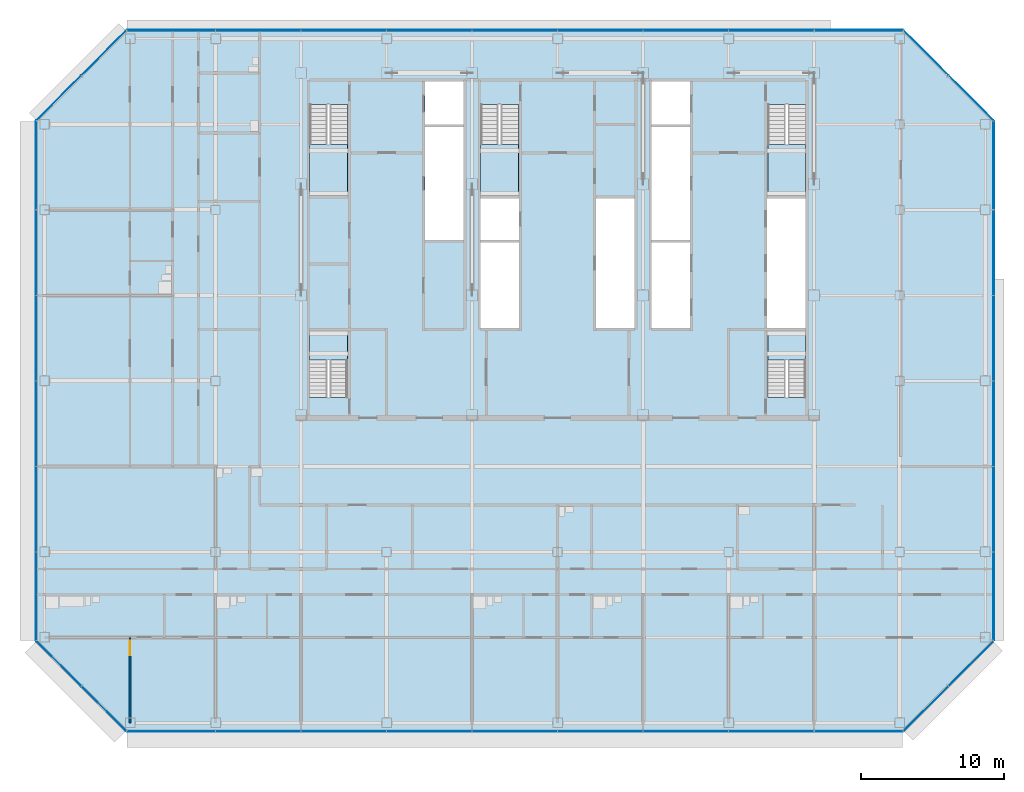
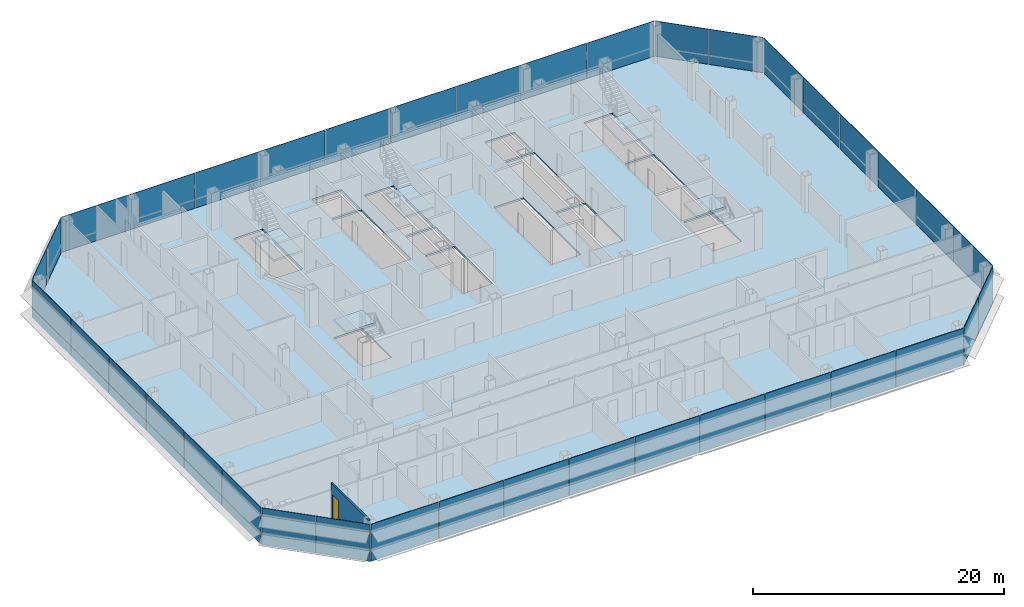
# One storey, part 19 of 27: 38 plates, 6 slabs, 1 door, 1 wall, 1 opening, 13 elements without a shape of their own.
"""IFC4 building model written with IfcOpenShell, lengths in metres."""

from ifc_helpers import new_model, si_unit, direction, frame, frame_2d, origin, origin_2d, place, context, subcontext, project, spatial, polyline, rectangle, outline, extrude, material, layer, layer_set, type_object, element, fill, aggregate, save


model = new_model("IFC4")

# Units and contexts
model_context = context("Model", 3, precision=1e-05, world=origin(), true_north=direction((0.0, 1.0)))
body_context = subcontext(model_context, "Body", "Model", "MODEL_VIEW")
ifc_project = project(units=[si_unit("LENGTHUNIT", "METRE"), si_unit("AREAUNIT", "SQUARE_METRE"), si_unit("VOLUMEUNIT", "CUBIC_METRE"), si_unit("PLANEANGLEUNIT", "RADIAN"), si_unit("MASSUNIT", "GRAM", prefix="KILO")], contexts=[model_context])

# Site, building, storey
site_placement = place(None, origin())
site = spatial("IfcSite", under=ifc_project, at=site_placement, CompositionType="ELEMENT")
building_placement = place(site_placement, origin())
building = spatial("IfcBuilding", under=site, at=building_placement, Name="Sorahane Residences", CompositionType="ELEMENT")
storey_placement = place(building_placement, frame((0.0, 0.0, 195.60009765625)))
storey = spatial("IfcBuildingStorey", under=building, at=storey_placement, Name="L45", CompositionType="ELEMENT", Elevation=195.60009765625)

# Slab
ifc_material_1 = material(Name="Concrete C35", Category="concrete")
ifc_layer_1 = layer(ifc_material_1, 0.179931640625)
ifc_layer_set_1 = layer_set([ifc_layer_1], Name="Composite floor slab 180 mm Concrete C35")
slab_type_1 = type_object("IfcSlabType", Name="Composite floor slab 180 mm Concrete C35", PredefinedType="FLOOR", material=ifc_layer_set_1)
slab_1_placement = place(storey_placement, frame((0.0, 0.0, -0.18017578125)))
element("IfcSlab", 1, at=slab_1_placement, inside=storey, type_object=slab_type_1, Name="Slab L45", PredefinedType="FLOOR", context=body_context, shape_type="SweptSolid", body=[
    extrude(outline(polyline([(-6.24853515625, -0.60009765625), (-12.60009765625, 5.75146484375), (-12.60009765625, 42.24853515625), (-6.24853515625, 48.60009765625), (48.24853515625, 48.60009765625), (54.60009765625, 42.24853515625), (54.60009765625, 5.75146484375), (48.24853515625, -0.60009765625), (-6.24853515625, -0.60009765625)]), holes=[polyline([(18.60009765625, 27.699951171875), (21.300048828125, 27.699951171875), (21.300048828125, 33.699951171875), (18.60009765625, 33.699951171875), (18.60009765625, 27.699951171875)]), polyline([(38.699951171875, 27.699951171875), (41.39990234375, 27.699951171875), (41.39990234375, 36.800048828125), (38.699951171875, 36.800048828125), (38.699951171875, 27.699951171875)]), polyline([(30.60009765625, 27.699951171875), (33.300048828125, 27.699951171875), (33.300048828125, 33.699951171875), (30.60009765625, 33.699951171875), (30.60009765625, 27.699951171875)]), polyline([(30.60009765625, 42.0), (33.300048828125, 42.0), (33.300048828125, 45.0), (30.60009765625, 45.0), (30.60009765625, 42.0)]), polyline([(14.699951171875, 42.0), (17.39990234375, 42.0), (17.39990234375, 45.0), (14.699951171875, 45.0), (14.699951171875, 42.0)]), polyline([(6.60009765625, 43.39990234375), (6.60009765625, 37.0), (9.25, 37.0), (9.25, 43.39990234375), (6.60009765625, 43.39990234375)]), polyline([(38.75, 43.39990234375), (38.75, 37.0), (41.39990234375, 37.0), (41.39990234375, 43.39990234375), (38.75, 43.39990234375)]), polyline([(18.60009765625, 43.39990234375), (18.60009765625, 37.0), (21.25, 37.0), (21.25, 43.39990234375), (18.60009765625, 43.39990234375)]), polyline([(9.25, 22.85009765625), (9.25, 27.5), (6.60009765625, 27.5), (6.60009765625, 22.85009765625), (9.25, 22.85009765625)]), polyline([(41.39990234375, 22.85009765625), (41.39990234375, 27.5), (38.75, 27.5), (38.75, 22.85009765625), (41.39990234375, 22.85009765625)]), polyline([(14.699951171875, 33.89990234375), (17.39990234375, 33.89990234375), (17.39990234375, 41.800048828125), (14.699951171875, 41.800048828125), (14.699951171875, 33.89990234375)]), polyline([(30.60009765625, 33.89990234375), (33.300048828125, 33.89990234375), (33.300048828125, 41.800048828125), (30.60009765625, 41.800048828125), (30.60009765625, 33.89990234375)]), polyline([(18.60009765625, 33.89990234375), (21.300048828125, 33.89990234375), (21.300048828125, 36.800048828125), (18.60009765625, 36.800048828125), (18.60009765625, 33.89990234375)]), polyline([(26.699951171875, 27.699951171875), (29.39990234375, 27.699951171875), (29.39990234375, 36.800048828125), (26.699951171875, 36.800048828125), (26.699951171875, 27.699951171875)])]), origin(), (0.0, 0.0, 1.0), 0.18017578125),
])

# Curtain wall, plates
ifc_material_2 = material(Name="Dark low-e glass and black anodised aluminium", Category="aluminium")
curtain_wall_type_1 = type_object("IfcCurtainWallType", Name="Curtain wall CW-1 Typical unitised wall", PredefinedType="NOTDEFINED", material=ifc_material_2)
curtain_wall_1_placement = place(storey_placement, origin())
curtain_wall_1 = element("IfcCurtainWall", 2, at=curtain_wall_1_placement, inside=storey, type_object=curtain_wall_type_1, Name="CW-1 curtain wall L45 S1", PredefinedType="NOTDEFINED")
ifc_material_3 = material(Name="Dark low-e glass with black ceramic frit", Category="glass")
ifc_layer_2 = layer(ifc_material_3, 0.0400390625)
ifc_layer_set_2 = layer_set([ifc_layer_2], Name="Curtain wall glass panel dark low-e with black frit spandrel band")
plate_type = type_object("IfcPlateType", Name="Curtain wall glass panel dark low-e with black frit spandrel band", PredefinedType="CURTAIN_PANEL", material=ifc_layer_set_2)
plate_1_placement = place(storey_placement, frame((-3.11181640625, -0.60009765625, -0.18017578125), z_axis=(0.0, 0.0, 1.0), x_axis=(1.0, 0.0, 0.0)))
plate_1 = element("IfcPlate", 3, at=plate_1_placement, type_object=plate_type, Name="CW-1 glass panel L45 S1.1", PredefinedType="CURTAIN_PANEL", context=body_context, shape_type="SweptSolid", body=[
    extrude(rectangle(XDim=6.173583984375, YDim=0.0400390625, at=origin_2d()), origin(), (0.0, 0.0, 1.0), 3.60009765625),
])
plate_2_placement = place(storey_placement, frame((3.0, -0.60009765625, -0.18017578125), z_axis=(0.0, 0.0, 1.0), x_axis=(1.0, 0.0, 0.0)))
plate_2 = element("IfcPlate", 4, at=plate_2_placement, type_object=plate_type, Name="CW-1 glass panel L45 S1.2", PredefinedType="CURTAIN_PANEL", context=body_context, shape_type="SweptSolid", body=[
    extrude(rectangle(XDim=5.949951171875, YDim=0.0400390625, at=origin_2d()), origin(), (0.0, 0.0, 1.0), 3.60009765625),
])
plate_3_placement = place(storey_placement, frame((9.0, -0.60009765625, -0.18017578125), z_axis=(0.0, 0.0, 1.0), x_axis=(1.0, 0.0, 0.0)))
plate_3 = element("IfcPlate", 5, at=plate_3_placement, type_object=plate_type, Name="CW-1 glass panel L45 S1.3", PredefinedType="CURTAIN_PANEL", context=body_context, shape_type="SweptSolid", body=[
    extrude(rectangle(XDim=5.949951171875, YDim=0.0400390625, at=origin_2d()), origin(), (0.0, 0.0, 1.0), 3.60009765625),
])
plate_4_placement = place(storey_placement, frame((15.0, -0.60009765625, -0.18017578125), z_axis=(0.0, 0.0, 1.0), x_axis=(1.0, 0.0, 0.0)))
plate_4 = element("IfcPlate", 6, at=plate_4_placement, type_object=plate_type, Name="CW-1 glass panel L45 S1.4", PredefinedType="CURTAIN_PANEL", context=body_context, shape_type="SweptSolid", body=[
    extrude(rectangle(XDim=5.949951171875, YDim=0.0400390625, at=origin_2d()), origin(), (0.0, 0.0, 1.0), 3.60009765625),
])
plate_5_placement = place(storey_placement, frame((21.0, -0.60009765625, -0.18017578125), z_axis=(0.0, 0.0, 1.0), x_axis=(1.0, 0.0, 0.0)))
plate_5 = element("IfcPlate", 7, at=plate_5_placement, type_object=plate_type, Name="CW-1 glass panel L45 S1.5", PredefinedType="CURTAIN_PANEL", context=body_context, shape_type="SweptSolid", body=[
    extrude(rectangle(XDim=5.949951171875, YDim=0.0400390625, at=origin_2d()), origin(), (0.0, 0.0, 1.0), 3.60009765625),
])
plate_6_placement = place(storey_placement, frame((27.0, -0.60009765625, -0.18017578125), z_axis=(0.0, 0.0, 1.0), x_axis=(1.0, 0.0, 0.0)))
plate_6 = element("IfcPlate", 8, at=plate_6_placement, type_object=plate_type, Name="CW-1 glass panel L45 S1.6", PredefinedType="CURTAIN_PANEL", context=body_context, shape_type="SweptSolid", body=[
    extrude(rectangle(XDim=5.949951171875, YDim=0.0400390625, at=origin_2d()), origin(), (0.0, 0.0, 1.0), 3.60009765625),
])
plate_7_placement = place(storey_placement, frame((33.0, -0.60009765625, -0.18017578125), z_axis=(0.0, 0.0, 1.0), x_axis=(1.0, 0.0, 0.0)))
plate_7 = element("IfcPlate", 9, at=plate_7_placement, type_object=plate_type, Name="CW-1 glass panel L45 S1.7", PredefinedType="CURTAIN_PANEL", context=body_context, shape_type="SweptSolid", body=[
    extrude(rectangle(XDim=5.949951171875, YDim=0.0400390625, at=origin_2d()), origin(), (0.0, 0.0, 1.0), 3.60009765625),
])
plate_8_placement = place(storey_placement, frame((39.0, -0.60009765625, -0.18017578125), z_axis=(0.0, 0.0, 1.0), x_axis=(1.0, 0.0, 0.0)))
plate_8 = element("IfcPlate", 10, at=plate_8_placement, type_object=plate_type, Name="CW-1 glass panel L45 S1.8", PredefinedType="CURTAIN_PANEL", context=body_context, shape_type="SweptSolid", body=[
    extrude(rectangle(XDim=5.949951171875, YDim=0.0400390625, at=origin_2d()), origin(), (0.0, 0.0, 1.0), 3.60009765625),
])
plate_9_placement = place(storey_placement, frame((45.11181640625, -0.60009765625, -0.18017578125), z_axis=(0.0, 0.0, 1.0), x_axis=(1.0, 0.0, 0.0)))
plate_9 = element("IfcPlate", 11, at=plate_9_placement, type_object=plate_type, Name="CW-1 glass panel L45 S1.9", PredefinedType="CURTAIN_PANEL", context=body_context, shape_type="SweptSolid", body=[
    extrude(rectangle(XDim=6.173583984375, YDim=0.0400390625, at=origin_2d()), origin(), (0.0, 0.0, 1.0), 3.60009765625),
])
aggregate(curtain_wall_1, [plate_1, plate_2, plate_3, plate_4, plate_5, plate_6, plate_7, plate_8, plate_9])

ifc_material_4 = material(Name="Dark low-e glass and black anodised aluminium", Category="aluminium")
curtain_wall_type_2 = type_object("IfcCurtainWallType", Name="Curtain wall CW-2 Chamfer unitised wall", PredefinedType="NOTDEFINED", material=ifc_material_4)
curtain_wall_2_placement = place(storey_placement, origin())
curtain_wall_2 = element("IfcCurtainWall", 12, at=curtain_wall_2_placement, inside=storey, type_object=curtain_wall_type_2, Name="CW-2 curtain wall L45 SE1", PredefinedType="NOTDEFINED")
plate_10_placement = place(storey_placement, frame((49.84521484375, 0.996826171875, -0.18017578125), z_axis=(0.0, 0.0, 1.0), x_axis=(0.707106781187, 0.707106781187, 0.0)))
plate_10 = element("IfcPlate", 13, at=plate_10_placement, type_object=plate_type, Name="CW-2 glass panel L45 SE1.1", PredefinedType="CURTAIN_PANEL", context=body_context, shape_type="SweptSolid", body=[
    extrude(rectangle(XDim=4.416259765625, YDim=0.0400390625, at=origin_2d()), origin(), (0.0, 0.0, 1.0), 3.60009765625),
])
plate_11_placement = place(storey_placement, frame((53.003173828125, 4.15478515625, -0.18017578125), z_axis=(0.0, 0.0, 1.0), x_axis=(0.707106781187, 0.707106781187, 0.0)))
plate_11 = element("IfcPlate", 14, at=plate_11_placement, type_object=plate_type, Name="CW-2 glass panel L45 SE1.2", PredefinedType="CURTAIN_PANEL", context=body_context, shape_type="SweptSolid", body=[
    extrude(rectangle(XDim=4.416259765625, YDim=0.0400390625, at=origin_2d()), origin(), (0.0, 0.0, 1.0), 3.60009765625),
])
aggregate(curtain_wall_2, [plate_10, plate_11])

curtain_wall_3_placement = place(storey_placement, origin())
curtain_wall_3 = element("IfcCurtainWall", 15, at=curtain_wall_3_placement, inside=storey, type_object=curtain_wall_type_1, Name="CW-1 curtain wall L45 E1", PredefinedType="NOTDEFINED")
plate_12_placement = place(storey_placement, frame((54.60009765625, 8.88818359375, -0.18017578125), z_axis=(0.0, 0.0, 1.0), x_axis=(0.0, 1.0, 0.0)))
plate_12 = element("IfcPlate", 16, at=plate_12_placement, type_object=plate_type, Name="CW-1 glass panel L45 E1.1", PredefinedType="CURTAIN_PANEL", context=body_context, shape_type="SweptSolid", body=[
    extrude(rectangle(XDim=6.173583984375, YDim=0.0400390625, at=origin_2d()), origin(), (0.0, 0.0, 1.0), 3.60009765625),
])
plate_13_placement = place(storey_placement, frame((54.60009765625, 15.0, -0.18017578125), z_axis=(0.0, 0.0, 1.0), x_axis=(0.0, 1.0, 0.0)))
plate_13 = element("IfcPlate", 17, at=plate_13_placement, type_object=plate_type, Name="CW-1 glass panel L45 E1.2", PredefinedType="CURTAIN_PANEL", context=body_context, shape_type="SweptSolid", body=[
    extrude(rectangle(XDim=5.949951171875, YDim=0.0400390625, at=origin_2d()), origin(), (0.0, 0.0, 1.0), 3.60009765625),
])
plate_14_placement = place(storey_placement, frame((54.60009765625, 21.0, -0.18017578125), z_axis=(0.0, 0.0, 1.0), x_axis=(0.0, 1.0, 0.0)))
plate_14 = element("IfcPlate", 18, at=plate_14_placement, type_object=plate_type, Name="CW-1 glass panel L45 E1.3", PredefinedType="CURTAIN_PANEL", context=body_context, shape_type="SweptSolid", body=[
    extrude(rectangle(XDim=5.949951171875, YDim=0.0400390625, at=origin_2d()), origin(), (0.0, 0.0, 1.0), 3.60009765625),
])
plate_15_placement = place(storey_placement, frame((54.60009765625, 27.0, -0.18017578125), z_axis=(0.0, 0.0, 1.0), x_axis=(0.0, 1.0, 0.0)))
plate_15 = element("IfcPlate", 19, at=plate_15_placement, type_object=plate_type, Name="CW-1 glass panel L45 E1.4", PredefinedType="CURTAIN_PANEL", context=body_context, shape_type="SweptSolid", body=[
    extrude(rectangle(XDim=5.949951171875, YDim=0.0400390625, at=origin_2d()), origin(), (0.0, 0.0, 1.0), 3.60009765625),
])
plate_16_placement = place(storey_placement, frame((54.60009765625, 33.0, -0.18017578125), z_axis=(0.0, 0.0, 1.0), x_axis=(0.0, 1.0, 0.0)))
plate_16 = element("IfcPlate", 20, at=plate_16_placement, type_object=plate_type, Name="CW-1 glass panel L45 E1.5", PredefinedType="CURTAIN_PANEL", context=body_context, shape_type="SweptSolid", body=[
    extrude(rectangle(XDim=5.949951171875, YDim=0.0400390625, at=origin_2d()), origin(), (0.0, 0.0, 1.0), 3.60009765625),
])
plate_17_placement = place(storey_placement, frame((54.60009765625, 39.11181640625, -0.18017578125), z_axis=(0.0, 0.0, 1.0), x_axis=(0.0, 1.0, 0.0)))
plate_17 = element("IfcPlate", 21, at=plate_17_placement, type_object=plate_type, Name="CW-1 glass panel L45 E1.6", PredefinedType="CURTAIN_PANEL", context=body_context, shape_type="SweptSolid", body=[
    extrude(rectangle(XDim=6.173583984375, YDim=0.0400390625, at=origin_2d()), origin(), (0.0, 0.0, 1.0), 3.60009765625),
])
aggregate(curtain_wall_3, [plate_12, plate_13, plate_14, plate_15, plate_16, plate_17])

curtain_wall_4_placement = place(storey_placement, origin())
curtain_wall_4 = element("IfcCurtainWall", 22, at=curtain_wall_4_placement, inside=storey, type_object=curtain_wall_type_2, Name="CW-2 curtain wall L45 NE1", PredefinedType="NOTDEFINED")
plate_18_placement = place(storey_placement, frame((53.003173828125, 43.84521484375, -0.18017578125), z_axis=(0.0, 0.0, 1.0), x_axis=(-0.707106781187, 0.707106781187, 0.0)))
plate_18 = element("IfcPlate", 23, at=plate_18_placement, type_object=plate_type, Name="CW-2 glass panel L45 NE1.1", PredefinedType="CURTAIN_PANEL", context=body_context, shape_type="SweptSolid", body=[
    extrude(rectangle(XDim=4.416259765625, YDim=0.0400390625, at=origin_2d()), origin(), (0.0, 0.0, 1.0), 3.60009765625),
])
plate_19_placement = place(storey_placement, frame((49.84521484375, 47.003173828125, -0.18017578125), z_axis=(0.0, 0.0, 1.0), x_axis=(-0.707106781187, 0.707106781187, 0.0)))
plate_19 = element("IfcPlate", 24, at=plate_19_placement, type_object=plate_type, Name="CW-2 glass panel L45 NE1.2", PredefinedType="CURTAIN_PANEL", context=body_context, shape_type="SweptSolid", body=[
    extrude(rectangle(XDim=4.416259765625, YDim=0.0400390625, at=origin_2d()), origin(), (0.0, 0.0, 1.0), 3.60009765625),
])
aggregate(curtain_wall_4, [plate_18, plate_19])

curtain_wall_5_placement = place(storey_placement, origin())
curtain_wall_5 = element("IfcCurtainWall", 25, at=curtain_wall_5_placement, inside=storey, type_object=curtain_wall_type_1, Name="CW-1 curtain wall L45 N1", PredefinedType="NOTDEFINED")
plate_20_placement = place(storey_placement, frame((45.11181640625, 48.60009765625, -0.18017578125), z_axis=(0.0, 0.0, 1.0), x_axis=(-1.0, 0.0, 0.0)))
plate_20 = element("IfcPlate", 26, at=plate_20_placement, type_object=plate_type, Name="CW-1 glass panel L45 N1.1", PredefinedType="CURTAIN_PANEL", context=body_context, shape_type="SweptSolid", body=[
    extrude(rectangle(XDim=6.173583984375, YDim=0.0400390625, at=origin_2d()), origin(), (0.0, 0.0, 1.0), 3.60009765625),
])
plate_21_placement = place(storey_placement, frame((39.0, 48.60009765625, -0.18017578125), z_axis=(0.0, 0.0, 1.0), x_axis=(-1.0, 0.0, 0.0)))
plate_21 = element("IfcPlate", 27, at=plate_21_placement, type_object=plate_type, Name="CW-1 glass panel L45 N1.2", PredefinedType="CURTAIN_PANEL", context=body_context, shape_type="SweptSolid", body=[
    extrude(rectangle(XDim=5.949951171875, YDim=0.0400390625, at=origin_2d()), origin(), (0.0, 0.0, 1.0), 3.60009765625),
])
plate_22_placement = place(storey_placement, frame((33.0, 48.60009765625, -0.18017578125), z_axis=(0.0, 0.0, 1.0), x_axis=(-1.0, 0.0, 0.0)))
plate_22 = element("IfcPlate", 28, at=plate_22_placement, type_object=plate_type, Name="CW-1 glass panel L45 N1.3", PredefinedType="CURTAIN_PANEL", context=body_context, shape_type="SweptSolid", body=[
    extrude(rectangle(XDim=5.949951171875, YDim=0.0400390625, at=origin_2d()), origin(), (0.0, 0.0, 1.0), 3.60009765625),
])
plate_23_placement = place(storey_placement, frame((27.0, 48.60009765625, -0.18017578125), z_axis=(0.0, 0.0, 1.0), x_axis=(-1.0, 0.0, 0.0)))
plate_23 = element("IfcPlate", 29, at=plate_23_placement, type_object=plate_type, Name="CW-1 glass panel L45 N1.4", PredefinedType="CURTAIN_PANEL", context=body_context, shape_type="SweptSolid", body=[
    extrude(rectangle(XDim=5.949951171875, YDim=0.0400390625, at=origin_2d()), origin(), (0.0, 0.0, 1.0), 3.60009765625),
])
plate_24_placement = place(storey_placement, frame((21.0, 48.60009765625, -0.18017578125), z_axis=(0.0, 0.0, 1.0), x_axis=(-1.0, 0.0, 0.0)))
plate_24 = element("IfcPlate", 30, at=plate_24_placement, type_object=plate_type, Name="CW-1 glass panel L45 N1.5", PredefinedType="CURTAIN_PANEL", context=body_context, shape_type="SweptSolid", body=[
    extrude(rectangle(XDim=5.949951171875, YDim=0.0400390625, at=origin_2d()), origin(), (0.0, 0.0, 1.0), 3.60009765625),
])
plate_25_placement = place(storey_placement, frame((15.0, 48.60009765625, -0.18017578125), z_axis=(0.0, 0.0, 1.0), x_axis=(-1.0, 0.0, 0.0)))
plate_25 = element("IfcPlate", 31, at=plate_25_placement, type_object=plate_type, Name="CW-1 glass panel L45 N1.6", PredefinedType="CURTAIN_PANEL", context=body_context, shape_type="SweptSolid", body=[
    extrude(rectangle(XDim=5.949951171875, YDim=0.0400390625, at=origin_2d()), origin(), (0.0, 0.0, 1.0), 3.60009765625),
])
plate_26_placement = place(storey_placement, frame((9.0, 48.60009765625, -0.18017578125), z_axis=(0.0, 0.0, 1.0), x_axis=(-1.0, 0.0, 0.0)))
plate_26 = element("IfcPlate", 32, at=plate_26_placement, type_object=plate_type, Name="CW-1 glass panel L45 N1.7", PredefinedType="CURTAIN_PANEL", context=body_context, shape_type="SweptSolid", body=[
    extrude(rectangle(XDim=5.949951171875, YDim=0.0400390625, at=origin_2d()), origin(), (0.0, 0.0, 1.0), 3.60009765625),
])
plate_27_placement = place(storey_placement, frame((3.0, 48.60009765625, -0.18017578125), z_axis=(0.0, 0.0, 1.0), x_axis=(-1.0, 0.0, 0.0)))
plate_27 = element("IfcPlate", 33, at=plate_27_placement, type_object=plate_type, Name="CW-1 glass panel L45 N1.8", PredefinedType="CURTAIN_PANEL", context=body_context, shape_type="SweptSolid", body=[
    extrude(rectangle(XDim=5.949951171875, YDim=0.0400390625, at=origin_2d()), origin(), (0.0, 0.0, 1.0), 3.60009765625),
])
plate_28_placement = place(storey_placement, frame((-3.11181640625, 48.60009765625, -0.18017578125), z_axis=(0.0, 0.0, 1.0), x_axis=(-1.0, 0.0, 0.0)))
plate_28 = element("IfcPlate", 34, at=plate_28_placement, type_object=plate_type, Name="CW-1 glass panel L45 N1.9", PredefinedType="CURTAIN_PANEL", context=body_context, shape_type="SweptSolid", body=[
    extrude(rectangle(XDim=6.173583984375, YDim=0.0400390625, at=origin_2d()), origin(), (0.0, 0.0, 1.0), 3.60009765625),
])
aggregate(curtain_wall_5, [plate_20, plate_21, plate_22, plate_23, plate_24, plate_25, plate_26, plate_27, plate_28])

curtain_wall_6_placement = place(storey_placement, origin())
curtain_wall_6 = element("IfcCurtainWall", 35, at=curtain_wall_6_placement, inside=storey, type_object=curtain_wall_type_2, Name="CW-2 curtain wall L45 NW1", PredefinedType="NOTDEFINED")
plate_29_placement = place(storey_placement, frame((-7.84521484375, 47.003173828125, -0.18017578125), z_axis=(0.0, 0.0, 1.0), x_axis=(-0.707106781187, -0.707106781187, 0.0)))
plate_29 = element("IfcPlate", 36, at=plate_29_placement, type_object=plate_type, Name="CW-2 glass panel L45 NW1.1", PredefinedType="CURTAIN_PANEL", context=body_context, shape_type="SweptSolid", body=[
    extrude(rectangle(XDim=4.416259765625, YDim=0.0400390625, at=origin_2d()), origin(), (0.0, 0.0, 1.0), 3.60009765625),
])
plate_30_placement = place(storey_placement, frame((-11.003173828125, 43.84521484375, -0.18017578125), z_axis=(0.0, 0.0, 1.0), x_axis=(-0.707106781187, -0.707106781187, 0.0)))
plate_30 = element("IfcPlate", 37, at=plate_30_placement, type_object=plate_type, Name="CW-2 glass panel L45 NW1.2", PredefinedType="CURTAIN_PANEL", context=body_context, shape_type="SweptSolid", body=[
    extrude(rectangle(XDim=4.416259765625, YDim=0.0400390625, at=origin_2d()), origin(), (0.0, 0.0, 1.0), 3.60009765625),
])
aggregate(curtain_wall_6, [plate_29, plate_30])

curtain_wall_7_placement = place(storey_placement, origin())
curtain_wall_7 = element("IfcCurtainWall", 38, at=curtain_wall_7_placement, inside=storey, type_object=curtain_wall_type_1, Name="CW-1 curtain wall L45 W1", PredefinedType="NOTDEFINED")
plate_31_placement = place(storey_placement, frame((-12.60009765625, 39.11181640625, -0.18017578125), z_axis=(0.0, 0.0, 1.0), x_axis=(0.0, -1.0, 0.0)))
plate_31 = element("IfcPlate", 39, at=plate_31_placement, type_object=plate_type, Name="CW-1 glass panel L45 W1.1", PredefinedType="CURTAIN_PANEL", context=body_context, shape_type="SweptSolid", body=[
    extrude(rectangle(XDim=6.173583984375, YDim=0.0400390625, at=origin_2d()), origin(), (0.0, 0.0, 1.0), 3.60009765625),
])
plate_32_placement = place(storey_placement, frame((-12.60009765625, 33.0, -0.18017578125), z_axis=(0.0, 0.0, 1.0), x_axis=(0.0, -1.0, 0.0)))
plate_32 = element("IfcPlate", 40, at=plate_32_placement, type_object=plate_type, Name="CW-1 glass panel L45 W1.2", PredefinedType="CURTAIN_PANEL", context=body_context, shape_type="SweptSolid", body=[
    extrude(rectangle(XDim=5.949951171875, YDim=0.0400390625, at=origin_2d()), origin(), (0.0, 0.0, 1.0), 3.60009765625),
])
plate_33_placement = place(storey_placement, frame((-12.60009765625, 27.0, -0.18017578125), z_axis=(0.0, 0.0, 1.0), x_axis=(0.0, -1.0, 0.0)))
plate_33 = element("IfcPlate", 41, at=plate_33_placement, type_object=plate_type, Name="CW-1 glass panel L45 W1.3", PredefinedType="CURTAIN_PANEL", context=body_context, shape_type="SweptSolid", body=[
    extrude(rectangle(XDim=5.949951171875, YDim=0.0400390625, at=origin_2d()), origin(), (0.0, 0.0, 1.0), 3.60009765625),
])
plate_34_placement = place(storey_placement, frame((-12.60009765625, 21.0, -0.18017578125), z_axis=(0.0, 0.0, 1.0), x_axis=(0.0, -1.0, 0.0)))
plate_34 = element("IfcPlate", 42, at=plate_34_placement, type_object=plate_type, Name="CW-1 glass panel L45 W1.4", PredefinedType="CURTAIN_PANEL", context=body_context, shape_type="SweptSolid", body=[
    extrude(rectangle(XDim=5.949951171875, YDim=0.0400390625, at=origin_2d()), origin(), (0.0, 0.0, 1.0), 3.60009765625),
])
plate_35_placement = place(storey_placement, frame((-12.60009765625, 15.0, -0.18017578125), z_axis=(0.0, 0.0, 1.0), x_axis=(0.0, -1.0, 0.0)))
plate_35 = element("IfcPlate", 43, at=plate_35_placement, type_object=plate_type, Name="CW-1 glass panel L45 W1.5", PredefinedType="CURTAIN_PANEL", context=body_context, shape_type="SweptSolid", body=[
    extrude(rectangle(XDim=5.949951171875, YDim=0.0400390625, at=origin_2d()), origin(), (0.0, 0.0, 1.0), 3.60009765625),
])
plate_36_placement = place(storey_placement, frame((-12.60009765625, 8.88818359375, -0.18017578125), z_axis=(0.0, 0.0, 1.0), x_axis=(0.0, -1.0, 0.0)))
plate_36 = element("IfcPlate", 44, at=plate_36_placement, type_object=plate_type, Name="CW-1 glass panel L45 W1.6", PredefinedType="CURTAIN_PANEL", context=body_context, shape_type="SweptSolid", body=[
    extrude(rectangle(XDim=6.173583984375, YDim=0.0400390625, at=origin_2d()), origin(), (0.0, 0.0, 1.0), 3.60009765625),
])
aggregate(curtain_wall_7, [plate_31, plate_32, plate_33, plate_34, plate_35, plate_36])

curtain_wall_8_placement = place(storey_placement, origin())
curtain_wall_8 = element("IfcCurtainWall", 45, at=curtain_wall_8_placement, inside=storey, type_object=curtain_wall_type_2, Name="CW-2 curtain wall L45 SW1", PredefinedType="NOTDEFINED")
plate_37_placement = place(storey_placement, frame((-11.003173828125, 4.15478515625, -0.18017578125), z_axis=(0.0, 0.0, 1.0), x_axis=(0.707106781187, -0.707106781187, 0.0)))
plate_37 = element("IfcPlate", 46, at=plate_37_placement, type_object=plate_type, Name="CW-2 glass panel L45 SW1.1", PredefinedType="CURTAIN_PANEL", context=body_context, shape_type="SweptSolid", body=[
    extrude(rectangle(XDim=4.416259765625, YDim=0.0400390625, at=origin_2d()), origin(), (0.0, 0.0, 1.0), 3.60009765625),
])
plate_38_placement = place(storey_placement, frame((-7.84521484375, 0.996826171875, -0.18017578125), z_axis=(0.0, 0.0, 1.0), x_axis=(0.707106781187, -0.707106781187, 0.0)))
plate_38 = element("IfcPlate", 47, at=plate_38_placement, type_object=plate_type, Name="CW-2 glass panel L45 SW1.2", PredefinedType="CURTAIN_PANEL", context=body_context, shape_type="SweptSolid", body=[
    extrude(rectangle(XDim=4.416259765625, YDim=0.0400390625, at=origin_2d()), origin(), (0.0, 0.0, 1.0), 3.60009765625),
])
aggregate(curtain_wall_8, [plate_37, plate_38])

# Stair, slab
ifc_material_5 = material(Name="Concrete C40", Category="concrete")
stair_type = type_object("IfcStairType", Name="Dog-leg stair 1250 Concrete C40", PredefinedType="HALF_TURN_STAIR", material=ifc_material_5)
stair_1_placement = place(storey_placement, origin())
stair_1 = element("IfcStair", 48, at=stair_1_placement, inside=storey, type_object=stair_type, Name="L45 Stair S1", PredefinedType="HALF_TURN_STAIR")
ifc_material_6 = material(Name="Concrete C40", Category="concrete")
ifc_layer_3 = layer(ifc_material_6, 0.199951171875)
ifc_layer_set_3 = layer_set([ifc_layer_3], Name="Stair landing 200 Concrete C40")
slab_type_2 = type_object("IfcSlabType", Name="Stair landing 200 Concrete C40", PredefinedType="LANDING", material=ifc_layer_set_3)
slab_2_placement = place(storey_placement, frame((0.0, 0.0, 1.599853515625)))
slab_2 = element("IfcSlab", 49, at=slab_2_placement, type_object=slab_type_2, Name="S1 landing 1", PredefinedType="LANDING", context=body_context, shape_type="SweptSolid", body=[
    extrude(outline(polyline([(6.60009765625, 40.60009765625), (6.60009765625, 37.0), (9.25, 37.0), (9.25, 40.60009765625), (6.60009765625, 40.60009765625)])), origin(), (0.0, 0.0, 1.0), 0.199951171875),
])
aggregate(stair_1, [slab_2])

stair_2_placement = place(storey_placement, origin())
stair_2 = element("IfcStair", 50, at=stair_2_placement, inside=storey, type_object=stair_type, Name="L45 Stair S2", PredefinedType="HALF_TURN_STAIR")
slab_3_placement = place(storey_placement, frame((0.0, 0.0, 1.599853515625)))
slab_3 = element("IfcSlab", 51, at=slab_3_placement, type_object=slab_type_2, Name="S2 landing 1", PredefinedType="LANDING", context=body_context, shape_type="SweptSolid", body=[
    extrude(outline(polyline([(38.75, 40.60009765625), (38.75, 37.0), (41.39990234375, 37.0), (41.39990234375, 40.60009765625), (38.75, 40.60009765625)])), origin(), (0.0, 0.0, 1.0), 0.199951171875),
])
aggregate(stair_2, [slab_3])

stair_3_placement = place(storey_placement, origin())
stair_3 = element("IfcStair", 52, at=stair_3_placement, inside=storey, type_object=stair_type, Name="L45 Stair S3", PredefinedType="HALF_TURN_STAIR")
slab_4_placement = place(storey_placement, frame((0.0, 0.0, 1.599853515625)))
slab_4 = element("IfcSlab", 53, at=slab_4_placement, type_object=slab_type_2, Name="S3 landing 1", PredefinedType="LANDING", context=body_context, shape_type="SweptSolid", body=[
    extrude(outline(polyline([(18.60009765625, 40.60009765625), (18.60009765625, 37.0), (21.25, 37.0), (21.25, 40.60009765625), (18.60009765625, 40.60009765625)])), origin(), (0.0, 0.0, 1.0), 0.199951171875),
])
aggregate(stair_3, [slab_4])

stair_4_placement = place(storey_placement, origin())
stair_4 = element("IfcStair", 54, at=stair_4_placement, inside=storey, type_object=stair_type, Name="L45 Stair S4", PredefinedType="HALF_TURN_STAIR")
slab_5_placement = place(storey_placement, frame((0.0, 0.0, 1.599853515625)))
slab_5 = element("IfcSlab", 55, at=slab_5_placement, type_object=slab_type_2, Name="S4 landing 1", PredefinedType="LANDING", context=body_context, shape_type="SweptSolid", body=[
    extrude(outline(polyline([(9.25, 25.449951171875), (9.25, 27.5), (6.60009765625, 27.5), (6.60009765625, 25.449951171875), (9.25, 25.449951171875)])), origin(), (0.0, 0.0, 1.0), 0.199951171875),
])
aggregate(stair_4, [slab_5])

stair_5_placement = place(storey_placement, origin())
stair_5 = element("IfcStair", 56, at=stair_5_placement, inside=storey, type_object=stair_type, Name="L45 Stair S5", PredefinedType="HALF_TURN_STAIR")
slab_6_placement = place(storey_placement, frame((0.0, 0.0, 1.599853515625)))
slab_6 = element("IfcSlab", 57, at=slab_6_placement, type_object=slab_type_2, Name="S5 landing 1", PredefinedType="LANDING", context=body_context, shape_type="SweptSolid", body=[
    extrude(outline(polyline([(41.39990234375, 25.449951171875), (41.39990234375, 27.5), (38.75, 27.5), (38.75, 25.449951171875), (41.39990234375, 25.449951171875)])), origin(), (0.0, 0.0, 1.0), 0.199951171875),
])
aggregate(stair_5, [slab_6])

# Wall, opening, door
ifc_material_7 = material(Name="Gypsum board partition on steel studs", Category="steel")
ifc_layer_4 = layer(ifc_material_7, 0.14990234375)
ifc_layer_set_4 = layer_set([ifc_layer_4], Name="Partition 150 EI 90")
wall_type = type_object("IfcWallType", Name="Partition 150 EI 90", PredefinedType="PARTITIONING", material=ifc_layer_set_4)
wall_placement = place(storey_placement, frame((-6.0, 0.0, 0.0), z_axis=(0.0, 0.0, 1.0), x_axis=(0.0, 1.0, 0.0)))
wall = element("IfcWall", 58, at=wall_placement, inside=storey, type_object=wall_type, Name="L45 partition", PredefinedType="PARTITIONING", context=body_context, shape_type="SweptSolid", body=[
    extrude(rectangle(XDim=6.0, YDim=0.14990234375, at=frame_2d((3.0, 0.0))), origin(), (0.0, 0.0, 1.0), 3.419921875),
])
opening_placement = place(wall_placement, frame((4.75, 0.0, 0.0)))
opening = element("IfcOpeningElement", 59, at=opening_placement, cuts=wall, Name="Opening L45-11", PredefinedType="OPENING", context=body_context, shape_type="SweptSolid", body=[
    extrude(rectangle(XDim=1.0, YDim=2.39990234375, at=frame_2d((0.5, 1.199951171875))), frame((0.0, 0.0849609375, 0.0), z_axis=(0.0, -1.0, 0.0), x_axis=(1.0, 0.0, 0.0)), (0.0, 0.0, 1.0), 0.169921875),
])
ifc_material_8 = material(Name="Timber veneered fire door", Category="wood")
door_type = type_object("IfcDoorType", Name="Room door 1000x2400 FD30", OperationType="NOTDEFINED", PredefinedType="DOOR", material=ifc_material_8)
door_placement = place(opening_placement, origin())
door = element("IfcDoor", 60, at=door_placement, inside=storey, type_object=door_type, Name="Room door L45-11", OperationType="SINGLE_SWING_LEFT", OverallHeight=2.39990234375, OverallWidth=1.0, PredefinedType="DOOR", context=body_context, shape_type="SweptSolid", body=[
    extrude(rectangle(XDim=1.0, YDim=2.39990234375, at=frame_2d((0.5, 1.199951171875))), frame((0.0, 0.02490234375, 0.0), z_axis=(0.0, -1.0, 0.0), x_axis=(1.0, 0.0, 0.0)), (0.0, 0.0, 1.0), 0.050048828125),
])
fill(opening, door)

save(model, "model.ifc")
